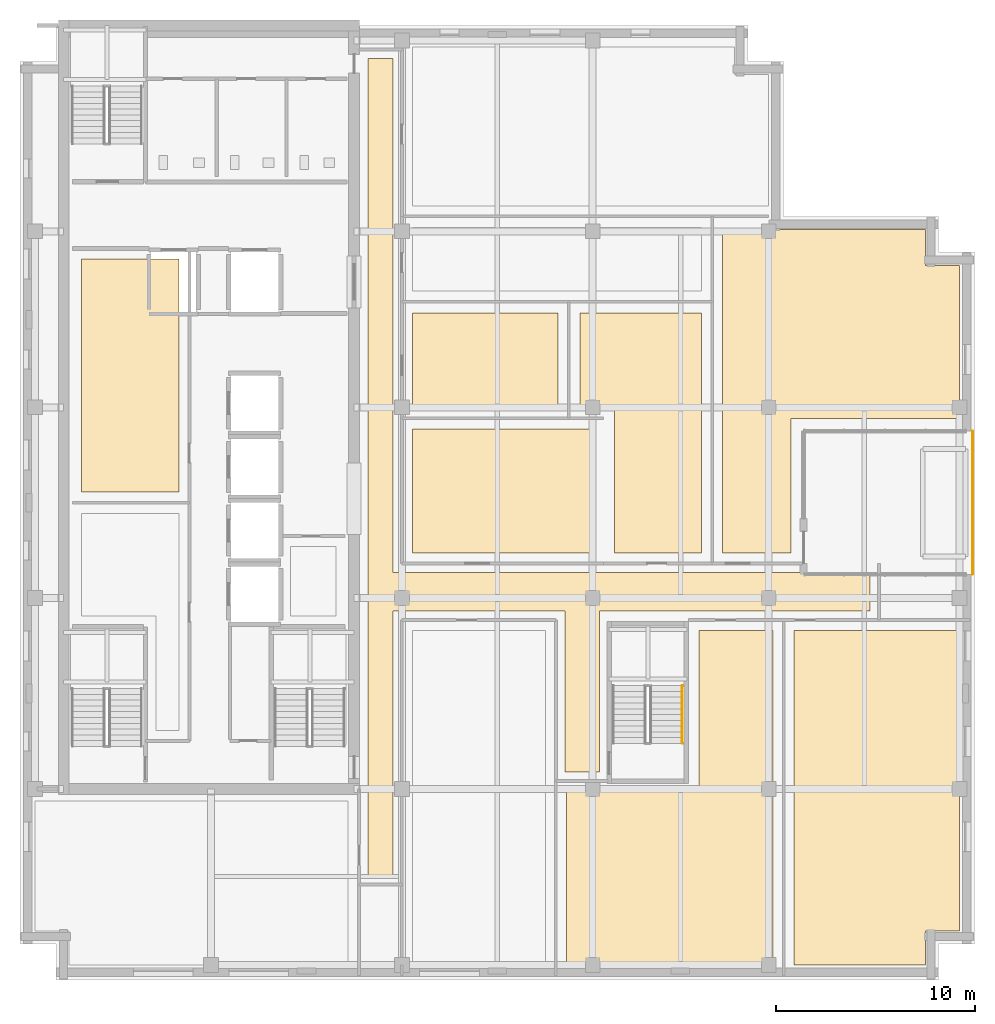
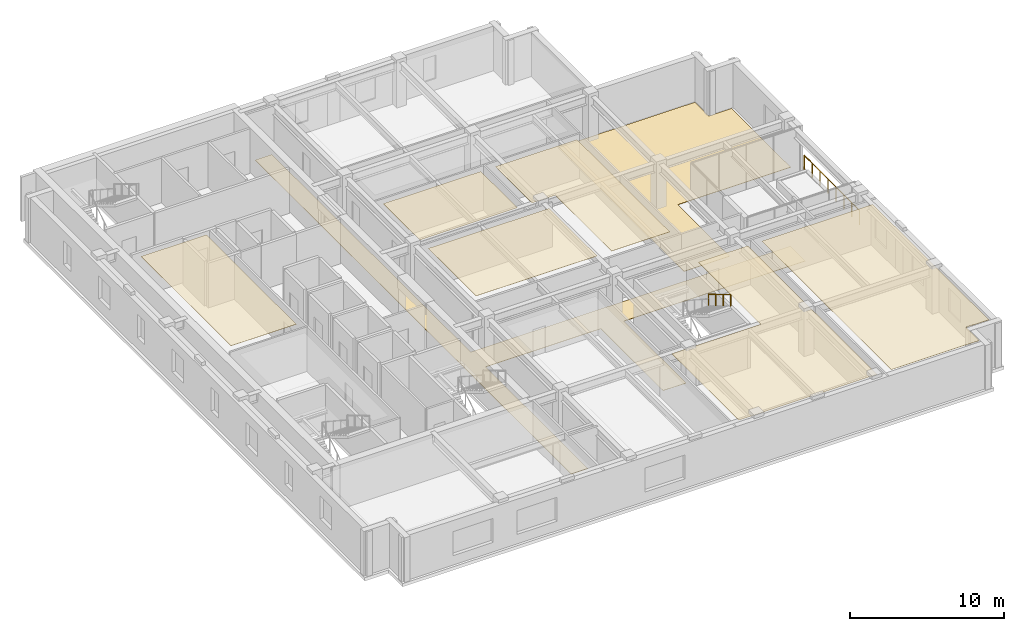
# One storey, part 11 of 13: 8 coverings, 2 railings.
"""IFC4 building model written with IfcOpenShell, lengths in metres."""

from ifc_helpers import new_model, si_unit, direction, frame, origin, origin_2d, place, context, subcontext, project, spatial, polyline, circle, outline, extrude, material, layer, layer_set, type_object, element, save


model = new_model("IFC4")

# Units and contexts
model_context = context("Model", 3, precision=1e-05, world=origin(), true_north=direction((0.0, 1.0)))
body_context = subcontext(model_context, "Body", "Model", "MODEL_VIEW")
ifc_project = project(units=[si_unit("LENGTHUNIT", "METRE"), si_unit("AREAUNIT", "SQUARE_METRE"), si_unit("VOLUMEUNIT", "CUBIC_METRE"), si_unit("PLANEANGLEUNIT", "RADIAN"), si_unit("MASSUNIT", "GRAM", prefix="KILO")], contexts=[model_context])

# Site, building, storey
site_placement = place(None, origin())
site = spatial("IfcSite", under=ifc_project, at=site_placement, CompositionType="ELEMENT")
building_placement = place(site_placement, origin())
building = spatial("IfcBuilding", under=site, at=building_placement, Name="Norrvale University Quadrangle", CompositionType="ELEMENT")
storey_placement = place(building_placement, frame((0.0, 0.0, 277.199951171875)))
storey = spatial("IfcBuildingStorey", under=building, at=storey_placement, Name="L70", CompositionType="ELEMENT", Elevation=277.199951171875)

# Coverings
ifc_material_1 = material(Name="Perforated Acoustic Mineral Ceiling")
ifc_layer_1 = layer(ifc_material_1, 0.02490234375, Name="Perforated Acoustic Mineral Ceiling")
ifc_layer_set_1 = layer_set([ifc_layer_1], Name="Perforated Acoustic Mineral Ceiling")
covering_type_1 = type_object("IfcCoveringType", Name="Covering Acoustic Ceiling 25", PredefinedType="CEILING", material=ifc_layer_set_1)
covering_1_placement = place(storey_placement, frame((0.0, 0.0, 3.51513671875)))
element("IfcCovering", 1, at=covering_1_placement, inside=storey, type_object=covering_type_1, Name="Acoustic Ceiling RM-L70-REC2", PredefinedType="CEILING", context=body_context, shape_type="SweptSolid", body=[
    extrude(outline(polyline([(3.10009765625, 24.550048828125), (3.10009765625, 36.25), (8.0, 36.25), (8.0, 24.550048828125), (3.10009765625, 24.550048828125)])), origin(), (0.0, 0.0, 1.0), 0.02490234375),
])
covering_2_placement = place(storey_placement, frame((0.0, 0.0, 3.51513671875)))
element("IfcCovering", 2, at=covering_2_placement, inside=storey, type_object=covering_type_1, Name="Acoustic Ceiling RM-L70-SE2", PredefinedType="CEILING", context=body_context, shape_type="SweptSolid", body=[
    extrude(outline(polyline([(34.14990234375, 9.449951171875), (34.14990234375, 17.570068359375), (37.8701171875, 17.570068359375), (37.8701171875, 0.75), (27.47998046875, 0.75), (27.47998046875, 9.449951171875), (34.14990234375, 9.449951171875)])), origin(), (0.0, 0.0, 1.0), 0.02490234375),
])
covering_3_placement = place(storey_placement, frame((0.0, 0.0, 3.51513671875)))
element("IfcCovering", 3, at=covering_3_placement, inside=storey, type_object=covering_type_1, Name="Acoustic Ceiling RM-L70-SE3", PredefinedType="CEILING", context=body_context, shape_type="SweptSolid", body=[
    extrude(outline(polyline([(38.929931640625, 17.570068359375), (47.25, 17.570068359375), (47.25, 2.469970703125), (45.530029296875, 2.469970703125), (45.530029296875, 0.75), (38.929931640625, 0.75), (38.929931640625, 17.570068359375)])), origin(), (0.0, 0.0, 1.0), 0.02490234375),
])
covering_4_placement = place(storey_placement, frame((0.0, 0.0, 3.51513671875)))
element("IfcCovering", 4, at=covering_4_placement, inside=storey, type_object=covering_type_1, Name="Acoustic Ceiling RM-L70-MEW", PredefinedType="CEILING", context=body_context, shape_type="SweptSolid", body=[
    extrude(outline(polyline([(19.72998046875, 21.47998046875), (19.72998046875, 27.699951171875), (28.800048828125, 27.699951171875), (28.800048828125, 21.47998046875), (19.72998046875, 21.47998046875)])), origin(), (0.0, 0.0, 1.0), 0.02490234375),
])
covering_5_placement = place(storey_placement, frame((0.0, 0.0, 3.51513671875)))
element("IfcCovering", 5, at=covering_5_placement, inside=storey, type_object=covering_type_1, Name="Acoustic Ceiling RM-L70-MEN1", PredefinedType="CEILING", context=body_context, shape_type="SweptSolid", body=[
    extrude(outline(polyline([(19.72998046875, 28.800048828125), (19.72998046875, 33.550048828125), (27.050048828125, 33.550048828125), (27.050048828125, 28.800048828125), (19.72998046875, 28.800048828125)])), origin(), (0.0, 0.0, 1.0), 0.02490234375),
])
covering_6_placement = place(storey_placement, frame((0.0, 0.0, 3.51513671875)))
element("IfcCovering", 6, at=covering_6_placement, inside=storey, type_object=covering_type_1, Name="Acoustic Ceiling RM-L70-MEN2", PredefinedType="CEILING", context=body_context, shape_type="SweptSolid", body=[
    extrude(outline(polyline([(29.89990234375, 21.47998046875), (29.89990234375, 28.800048828125), (28.14990234375, 28.800048828125), (28.14990234375, 33.550048828125), (34.27001953125, 33.550048828125), (34.27001953125, 21.47998046875), (29.89990234375, 21.47998046875)])), origin(), (0.0, 0.0, 1.0), 0.02490234375),
])
ifc_material_2 = material(Name="Polished Terrazzo Flooring")
ifc_layer_2 = layer(ifc_material_2, 0.02490234375, Name="Polished Terrazzo Flooring")
ifc_layer_set_2 = layer_set([ifc_layer_2], Name="Polished Terrazzo Flooring")
covering_type_2 = type_object("IfcCoveringType", Name="Covering Terrazzo Floor 30", PredefinedType="FLOORING", material=ifc_layer_set_2)
covering_7_placement = place(storey_placement, origin())
element("IfcCovering", 7, at=covering_7_placement, inside=storey, type_object=covering_type_2, Name="Terrazzo Flooring RM-L70-CORR1", PredefinedType="FLOORING", context=body_context, shape_type="SweptSolid", body=[
    extrude(outline(polyline([(17.5, 5.25), (17.5, 46.35009765625), (18.75, 46.35009765625), (18.75, 20.5), (42.75, 20.5), (42.75, 18.550048828125), (29.1298828125, 18.550048828125), (29.1298828125, 10.449951171875), (27.39990234375, 10.449951171875), (27.39990234375, 18.550048828125), (18.75, 18.550048828125), (18.75, 5.25), (17.5, 5.25)])), origin(), (0.0, 0.0, 1.0), 0.025146484375),
])
covering_8_placement = place(storey_placement, origin())
element("IfcCovering", 8, at=covering_8_placement, inside=storey, type_object=covering_type_2, Name="Terrazzo Flooring RM-L70-MEE", PredefinedType="FLOORING", context=body_context, shape_type="SweptSolid", body=[
    extrude(outline(polyline([(35.330078125, 21.47998046875), (35.330078125, 37.72998046875), (45.530029296875, 37.72998046875), (45.530029296875, 35.929931640625), (47.25, 35.929931640625), (47.25, 28.22998046875), (38.77001953125, 28.22998046875), (38.77001953125, 21.47998046875), (35.330078125, 21.47998046875)])), origin(), (0.0, 0.0, 1.0), 0.025146484375),
])

# Railings
ifc_material_3 = material(Name="Stainless Steel 316L Handrail", Category="steel")
railing_type_1 = type_object("IfcRailingType", Name="Railing Stair Handrail 920", PredefinedType="HANDRAIL", material=ifc_material_3)
railing_1_placement = place(storey_placement, frame((33.31005859375, 14.800048828125, 2.07275390625)))
element("IfcRailing", 9, at=railing_1_placement, inside=storey, type_object=railing_type_1, Name="Stair Upper Flight Handrail ST-04 L70", PredefinedType="HANDRAIL", context=body_context, shape_type="SweptSolid", body=[
    extrude(circle(Radius=0.02392578125, at=origin_2d()), frame((0.0, 0.0, 0.89599609375), z_axis=(0.0, -0.859160404282, 0.51170636083), x_axis=(1.0, 0.0, 0.0)), (0.0, 0.0, 1.0), 3.37548828125),
    extrude(circle(Radius=0.02099609375, at=origin_2d()), origin(), (0.0, 0.0, 1.0), 0.871826171875),
    extrude(circle(Radius=0.02099609375, at=origin_2d()), frame((0.0, -0.966796875, 0.57568359375)), (0.0, 0.0, 1.0), 0.871826171875),
    extrude(circle(Radius=0.02099609375, at=origin_2d()), frame((0.0, -1.933349609375, 1.151611328125)), (0.0, 0.0, 1.0), 0.871826171875),
    extrude(circle(Radius=0.02099609375, at=origin_2d()), frame((0.0, -2.900146484375, 1.727294921875)), (0.0, 0.0, 1.0), 0.871826171875),
])
ifc_material_4 = material(Name="Stainless Steel 316L Balustrade", Category="steel")
railing_type_2 = type_object("IfcRailingType", Name="Railing Terrace Guard 1150", PredefinedType="BALUSTRADE", material=ifc_material_4)
railing_2_placement = place(storey_placement, frame((47.89990234375, 20.39990234375, 0.0)))
element("IfcRailing", 10, at=railing_2_placement, inside=storey, type_object=railing_type_2, Name="Sky Garden Facade Balustrade L70", PredefinedType="BALUSTRADE", context=body_context, shape_type="SweptSolid", body=[
    extrude(circle(Radius=0.02392578125, at=origin_2d()), frame((0.0, 0.0, 1.1259765625), z_axis=(0.0, 1.0, 0.0), x_axis=(-1.0, 0.0, 0.0)), (0.0, 0.0, 1.0), 7.2001953125),
    extrude(circle(Radius=0.02099609375, at=origin_2d()), origin(), (0.0, 0.0, 1.0), 1.101806640625),
    extrude(circle(Radius=0.02099609375, at=origin_2d()), frame((0.0, 1.028564453125, 0.0)), (0.0, 0.0, 1.0), 1.101806640625),
    extrude(circle(Radius=0.02099609375, at=origin_2d()), frame((0.0, 2.05712890625, 0.0)), (0.0, 0.0, 1.0), 1.101806640625),
    extrude(circle(Radius=0.02099609375, at=origin_2d()), frame((0.0, 3.085693359375, 0.0)), (0.0, 0.0, 1.0), 1.101806640625),
    extrude(circle(Radius=0.02099609375, at=origin_2d()), frame((0.0, 4.114501953125, 0.0)), (0.0, 0.0, 1.0), 1.101806640625),
    extrude(circle(Radius=0.02099609375, at=origin_2d()), frame((0.0, 5.14306640625, 0.0)), (0.0, 0.0, 1.0), 1.101806640625),
    extrude(circle(Radius=0.02099609375, at=origin_2d()), frame((0.0, 6.171630859375, 0.0)), (0.0, 0.0, 1.0), 1.101806640625),
    extrude(circle(Radius=0.02099609375, at=origin_2d()), frame((0.0, 7.2001953125, 0.0)), (0.0, 0.0, 1.0), 1.101806640625),
])

save(model, "model.ifc")
